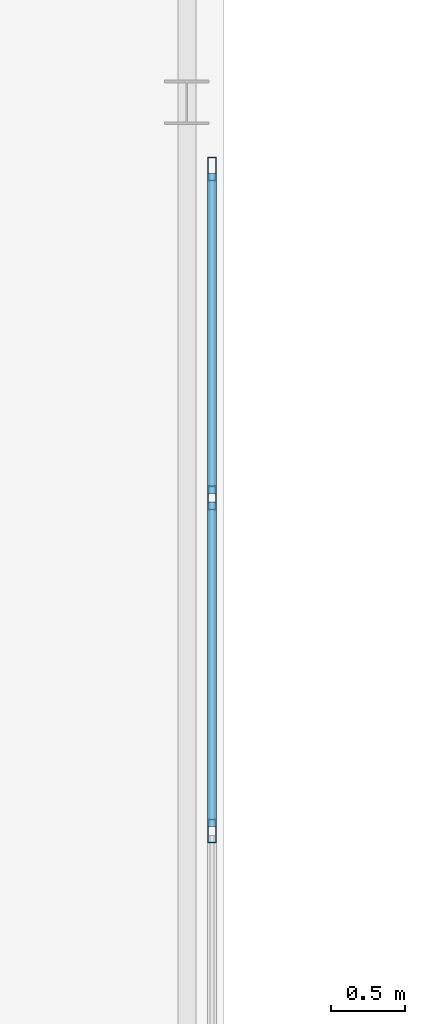
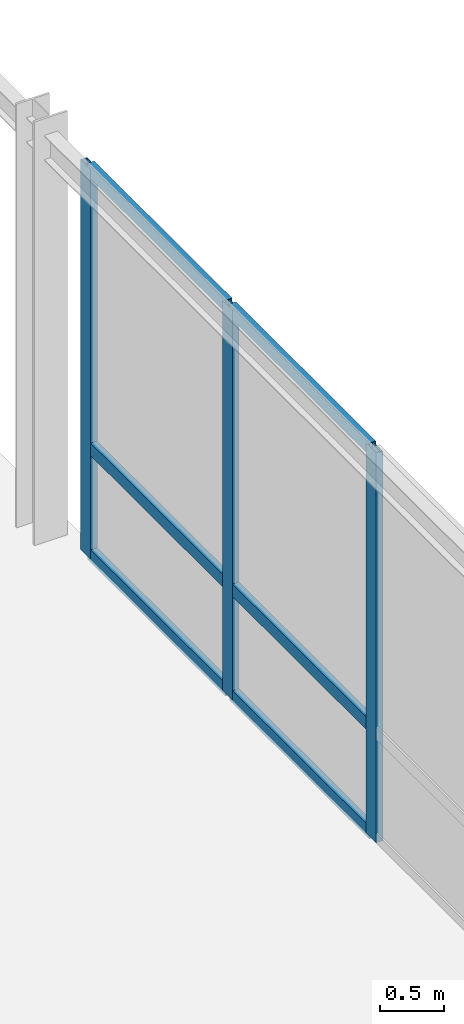
# One storey, part 111 of 165: 9 members, 1 element without a shape of its own.
"""IFC4 building model written with IfcOpenShell, lengths in metres."""

from ifc_helpers import new_model, si_unit, direction, frame, origin, origin_2d, place, context, subcontext, project, spatial, hollow_rectangle, extrude, material, layer, layer_set, material_profile, profile_set, type_object, element, aggregate, save


model = new_model("IFC4")

# Units and contexts
model_context = context("Model", 3, precision=1e-05, world=origin(), true_north=direction((0.0, 1.0)))
body_context = subcontext(model_context, "Body", "Model", "MODEL_VIEW")
ifc_project = project(units=[si_unit("LENGTHUNIT", "METRE"), si_unit("AREAUNIT", "SQUARE_METRE"), si_unit("VOLUMEUNIT", "CUBIC_METRE"), si_unit("PLANEANGLEUNIT", "RADIAN"), si_unit("MASSUNIT", "GRAM", prefix="KILO")], contexts=[model_context])

# Site, building, storey
site_placement = place(None, origin())
site = spatial("IfcSite", under=ifc_project, at=site_placement, CompositionType="ELEMENT")
building_placement = place(site_placement, origin())
building = spatial("IfcBuilding", under=site, at=building_placement, Name="Montecoro Central Library", CompositionType="ELEMENT")
storey_placement = place(building_placement, frame((0.0, 0.0, 5.10009765625)))
storey = spatial("IfcBuildingStorey", under=building, at=storey_placement, Name="L01", CompositionType="ELEMENT", Elevation=5.10009765625)

# Curtain wall, members
ifc_material_1 = material(Name="Bronze-anodised aluminium and low-E glazing", Category="aluminium")
ifc_layer = layer(ifc_material_1, 0.159912109375)
ifc_layer_set = layer_set([ifc_layer], Name="Bronze-anodised aluminium and low-E glazing")
curtain_wall_type = type_object("IfcCurtainWallType", Name="CWT-084", PredefinedType="NOTDEFINED", material=ifc_layer_set)
curtain_wall_placement = place(storey_placement, origin())
curtain_wall = element("IfcCurtainWall", 1, at=curtain_wall_placement, inside=storey, type_object=curtain_wall_type, Name="BR-E-L01-CW-E2", PredefinedType="NOTDEFINED")
ifc_material_2 = material(Name="Bronze-anodised aluminium", Category="aluminium")
ifc_material_profile_1 = material_profile(ifc_material_2, hollow_rectangle(XDim=0.06005859375, YDim=0.159912109375, WallThickness=0.00390625, at=origin_2d()), Name="CWM 160x60x4.0")
ifc_profile_set_1 = profile_set([ifc_material_profile_1], Name="Bronze-anodised aluminium")
member_type_1 = type_object("IfcMemberType", Name="CWM-BRZ-60", PredefinedType="MULLION", material=ifc_profile_set_1)
member_1_placement = place(storey_placement, frame((159.919921875, 60.873291015625, 0.0), z_axis=(0.0, 0.0, 1.0), x_axis=(-1.0, 0.0, 0.0)))
member_1 = element("IfcMember", 2, at=member_1_placement, type_object=member_type_1, Name="CW-084 mullion 2", PredefinedType="MULLION", context=body_context, shape_type="SweptSolid", body=[
    extrude(hollow_rectangle(XDim=0.06005859375, YDim=0.159912109375, WallThickness=0.00390625, at=origin_2d()), origin(), (0.0, 0.0, 1.0), 3.72998046875),
])
member_2_placement = place(storey_placement, frame((159.919921875, 63.126708984375, 0.0), z_axis=(0.0, 0.0, 1.0), x_axis=(-1.0, 0.0, 0.0)))
member_2 = element("IfcMember", 3, at=member_2_placement, type_object=member_type_1, Name="CW-084 mullion 3", PredefinedType="MULLION", context=body_context, shape_type="SweptSolid", body=[
    extrude(hollow_rectangle(XDim=0.06005859375, YDim=0.159912109375, WallThickness=0.00390625, at=origin_2d()), origin(), (0.0, 0.0, 1.0), 3.72998046875),
])
member_3_placement = place(storey_placement, frame((159.919921875, 65.35009765625, 0.0), z_axis=(0.0, 0.0, 1.0), x_axis=(-1.0, 0.0, 0.0)))
member_3 = element("IfcMember", 4, at=member_3_placement, type_object=member_type_1, Name="CW-084 mullion 4", PredefinedType="MULLION", context=body_context, shape_type="SweptSolid", body=[
    extrude(hollow_rectangle(XDim=0.06005859375, YDim=0.159912109375, WallThickness=0.00390625, at=origin_2d()), origin(), (0.0, 0.0, 1.0), 3.72998046875),
])
ifc_material_profile_2 = material_profile(ifc_material_2, hollow_rectangle(XDim=0.06005859375, YDim=0.1201171875, WallThickness=0.00390625, at=origin_2d()), Name="CWT 120x60x4.0")
ifc_profile_set_2 = profile_set([ifc_material_profile_2], Name="Bronze-anodised aluminium")
member_type_2 = type_object("IfcMemberType", Name="CWT-BRZ-60", PredefinedType="USERDEFINED", material=ifc_profile_set_2)
member_4_placement = place(storey_placement, frame((159.919921875, 60.9033203125, 0.02978515625), z_axis=(0.0, 1.0, 0.0), x_axis=(-1.0, 0.0, 0.0)))
member_4 = element("IfcMember", 5, at=member_4_placement, type_object=member_type_2, Name="CW-084 transom 2.1", ObjectType="TRANSOM", PredefinedType="USERDEFINED", context=body_context, shape_type="SweptSolid", body=[
    extrude(hollow_rectangle(XDim=0.06005859375, YDim=0.1201171875, WallThickness=0.00390625, at=origin_2d()), origin(), (0.0, 0.0, 1.0), 2.193359375),
])
member_5_placement = place(storey_placement, frame((159.919921875, 60.9033203125, 1.0498046875), z_axis=(0.0, 1.0, 0.0), x_axis=(-1.0, 0.0, 0.0)))
member_5 = element("IfcMember", 6, at=member_5_placement, type_object=member_type_2, Name="CW-084 transom 2.2", ObjectType="TRANSOM", PredefinedType="USERDEFINED", context=body_context, shape_type="SweptSolid", body=[
    extrude(hollow_rectangle(XDim=0.06005859375, YDim=0.1201171875, WallThickness=0.00390625, at=origin_2d()), origin(), (0.0, 0.0, 1.0), 2.193359375),
])
member_6_placement = place(storey_placement, frame((159.919921875, 60.9033203125, 3.699951171875), z_axis=(0.0, 1.0, 0.0), x_axis=(-1.0, 0.0, 0.0)))
member_6 = element("IfcMember", 7, at=member_6_placement, type_object=member_type_2, Name="CW-084 transom 2.3", ObjectType="TRANSOM", PredefinedType="USERDEFINED", context=body_context, shape_type="SweptSolid", body=[
    extrude(hollow_rectangle(XDim=0.06005859375, YDim=0.1201171875, WallThickness=0.00390625, at=origin_2d()), origin(), (0.0, 0.0, 1.0), 2.193359375),
])
member_7_placement = place(storey_placement, frame((159.919921875, 63.15673828125, 0.02978515625), z_axis=(0.0, 1.0, 0.0), x_axis=(-1.0, 0.0, 0.0)))
member_7 = element("IfcMember", 8, at=member_7_placement, type_object=member_type_2, Name="CW-084 transom 3.1", ObjectType="TRANSOM", PredefinedType="USERDEFINED", context=body_context, shape_type="SweptSolid", body=[
    extrude(hollow_rectangle(XDim=0.06005859375, YDim=0.1201171875, WallThickness=0.00390625, at=origin_2d()), origin(), (0.0, 0.0, 1.0), 2.163330078125),
])
member_8_placement = place(storey_placement, frame((159.919921875, 63.15673828125, 1.0498046875), z_axis=(0.0, 1.0, 0.0), x_axis=(-1.0, 0.0, 0.0)))
member_8 = element("IfcMember", 9, at=member_8_placement, type_object=member_type_2, Name="CW-084 transom 3.2", ObjectType="TRANSOM", PredefinedType="USERDEFINED", context=body_context, shape_type="SweptSolid", body=[
    extrude(hollow_rectangle(XDim=0.06005859375, YDim=0.1201171875, WallThickness=0.00390625, at=origin_2d()), origin(), (0.0, 0.0, 1.0), 2.163330078125),
])
member_9_placement = place(storey_placement, frame((159.919921875, 63.15673828125, 3.699951171875), z_axis=(0.0, 1.0, 0.0), x_axis=(-1.0, 0.0, 0.0)))
member_9 = element("IfcMember", 10, at=member_9_placement, type_object=member_type_2, Name="CW-084 transom 3.3", ObjectType="TRANSOM", PredefinedType="USERDEFINED", context=body_context, shape_type="SweptSolid", body=[
    extrude(hollow_rectangle(XDim=0.06005859375, YDim=0.1201171875, WallThickness=0.00390625, at=origin_2d()), origin(), (0.0, 0.0, 1.0), 2.163330078125),
])
aggregate(curtain_wall, [member_1, member_2, member_3, member_4, member_5, member_6, member_7, member_8, member_9])

save(model, "model.ifc")
